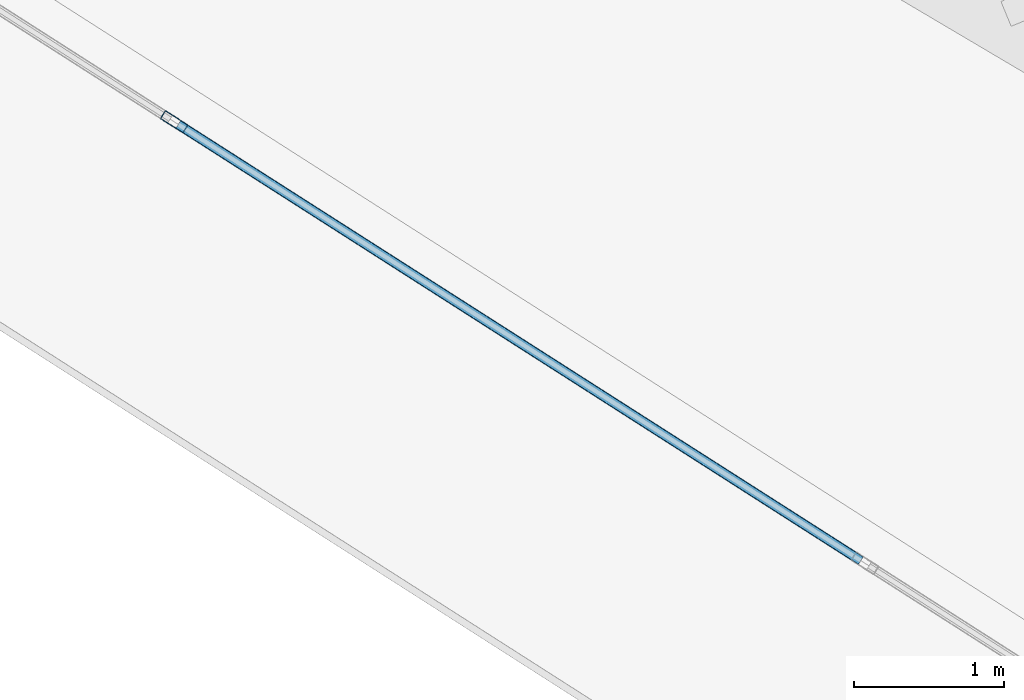
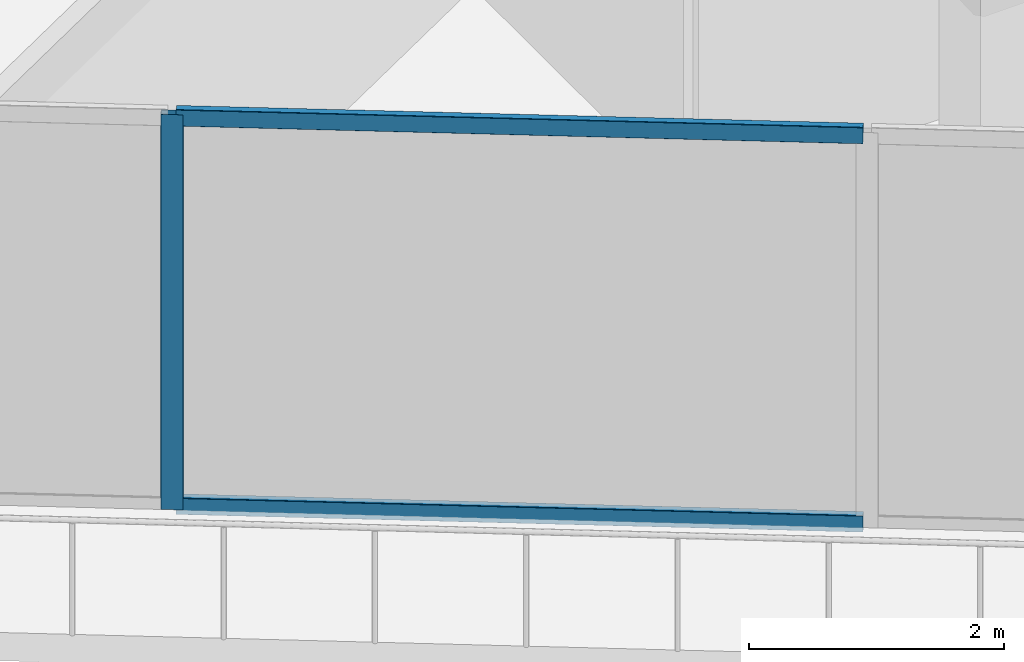
# One storey, part 5 of 38: 3 members, 1 element without a shape of its own.
"""IFC4 building model written with IfcOpenShell, lengths in metres."""

from ifc_helpers import new_model, si_unit, direction, frame, origin, origin_2d, place, context, subcontext, project, spatial, hollow_rectangle, extrude, material, layer, layer_set, material_profile, profile_set, type_object, element, aggregate, save


model = new_model("IFC4")

# Units and contexts
model_context = context("Model", 3, precision=1e-05, world=origin(), true_north=direction((0.0, 1.0)))
body_context = subcontext(model_context, "Body", "Model", "MODEL_VIEW")
ifc_project = project(units=[si_unit("LENGTHUNIT", "METRE"), si_unit("AREAUNIT", "SQUARE_METRE"), si_unit("VOLUMEUNIT", "CUBIC_METRE"), si_unit("PLANEANGLEUNIT", "RADIAN"), si_unit("MASSUNIT", "GRAM", prefix="KILO")], contexts=[model_context])

# Site, building, storey
site_placement = place(None, origin())
site = spatial("IfcSite", under=ifc_project, at=site_placement, CompositionType="ELEMENT")
building_placement = place(site_placement, origin())
building = spatial("IfcBuilding", under=site, at=building_placement, Name="Qorvath Tower", CompositionType="ELEMENT")
storey_placement = place(building_placement, frame((0.0, 0.0, 134.10009765625)))
storey = spatial("IfcBuildingStorey", under=building, at=storey_placement, Name="L30", CompositionType="ELEMENT", Elevation=134.10009765625)

# Curtain wall, members
ifc_material_1 = material(Name="Anodised aluminium and triple low-E glass", Category="aluminium")
ifc_layer = layer(ifc_material_1, 0.179931640625)
ifc_layer_set = layer_set([ifc_layer], Name="CW-SYS-3")
curtain_wall_type = type_object("IfcCurtainWallType", Name="CW-SYS-3", PredefinedType="NOTDEFINED", material=ifc_layer_set)
curtain_wall_placement = place(storey_placement, origin())
curtain_wall = element("IfcCurtainWall", 1, at=curtain_wall_placement, inside=storey, type_object=curtain_wall_type, Name="Curtain Wall CW-3 CW-T-L30-2.1", PredefinedType="NOTDEFINED")
ifc_material_2 = material(Name="Anodised aluminium 6063-T6", Category="aluminium")
ifc_material_profile_1 = material_profile(ifc_material_2, hollow_rectangle(XDim=0.06494140625, YDim=0.179931640625, WallThickness=0.00341796875, InnerFilletRadius=0.00341796875, OuterFilletRadius=0.007080078125, at=origin_2d()), Name="CWM 180x65")
ifc_profile_set_1 = profile_set([ifc_material_profile_1], Name="Anodised aluminium 6063-T6")
member_type_1 = type_object("IfcMemberType", Name="CWM-180", PredefinedType="MULLION", material=ifc_profile_set_1)
member_1_placement = place(storey_placement, frame((-43.501220703125, -12.58642578125, 0.0), z_axis=(0.0, 0.0, 1.0), x_axis=(0.538534399095, 0.842603525385, 0.0)))
member_1 = element("IfcMember", 2, at=member_1_placement, type_object=member_type_1, Name="CW-3 mullion 4", PredefinedType="MULLION", context=body_context, shape_type="SweptSolid", body=[
    extrude(hollow_rectangle(XDim=0.06494140625, YDim=0.179931640625, WallThickness=0.00341796875, InnerFilletRadius=0.00341796875, OuterFilletRadius=0.007080078125, at=origin_2d()), origin(), (0.0, 0.0, 1.0), 3.77978515625),
])
ifc_material_3 = material(Name="Anodised aluminium 6063-T6", Category="aluminium")
ifc_material_profile_2 = material_profile(ifc_material_3, hollow_rectangle(XDim=0.06494140625, YDim=0.159912109375, WallThickness=0.00341796875, InnerFilletRadius=0.00341796875, OuterFilletRadius=0.007080078125, at=origin_2d()), Name="CWT 160x65")
ifc_profile_set_2 = profile_set([ifc_material_profile_2], Name="Anodised aluminium 6063-T6")
member_type_2 = type_object("IfcMemberType", Name="CWT-160", PredefinedType="USERDEFINED", material=ifc_profile_set_2)
member_2_placement = place(storey_placement, frame((-43.473876953125, -12.60400390625, 0.032470703125), z_axis=(0.842602030071, -0.538536738691, 0.0), x_axis=(0.538536738691, 0.842602030071, 0.0)))
member_2 = element("IfcMember", 3, at=member_2_placement, type_object=member_type_2, Name="CW-3 transom 4.1", ObjectType="TRANSOM", PredefinedType="USERDEFINED", context=body_context, shape_type="SweptSolid", body=[
    extrude(hollow_rectangle(XDim=0.06494140625, YDim=0.159912109375, WallThickness=0.00341796875, InnerFilletRadius=0.00341796875, OuterFilletRadius=0.007080078125, at=origin_2d()), origin(), (0.0, 0.0, 1.0), 5.388427734375),
])
member_3_placement = place(storey_placement, frame((-43.473876953125, -12.60400390625, 3.747314453125), z_axis=(0.842602030071, -0.538536738691, 0.0), x_axis=(0.538536738691, 0.842602030071, 0.0)))
member_3 = element("IfcMember", 4, at=member_3_placement, type_object=member_type_2, Name="CW-3 transom 4.2", ObjectType="TRANSOM", PredefinedType="USERDEFINED", context=body_context, shape_type="SweptSolid", body=[
    extrude(hollow_rectangle(XDim=0.06494140625, YDim=0.159912109375, WallThickness=0.00341796875, InnerFilletRadius=0.00341796875, OuterFilletRadius=0.007080078125, at=origin_2d()), origin(), (0.0, 0.0, 1.0), 5.388427734375),
])
aggregate(curtain_wall, [member_1, member_2, member_3])

save(model, "model.ifc")
